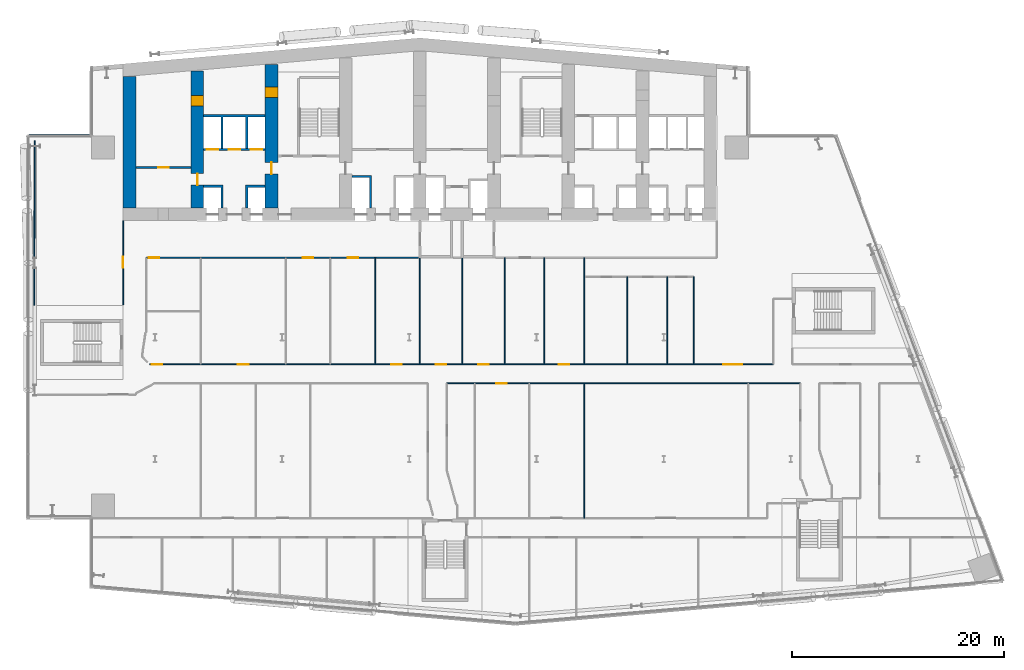
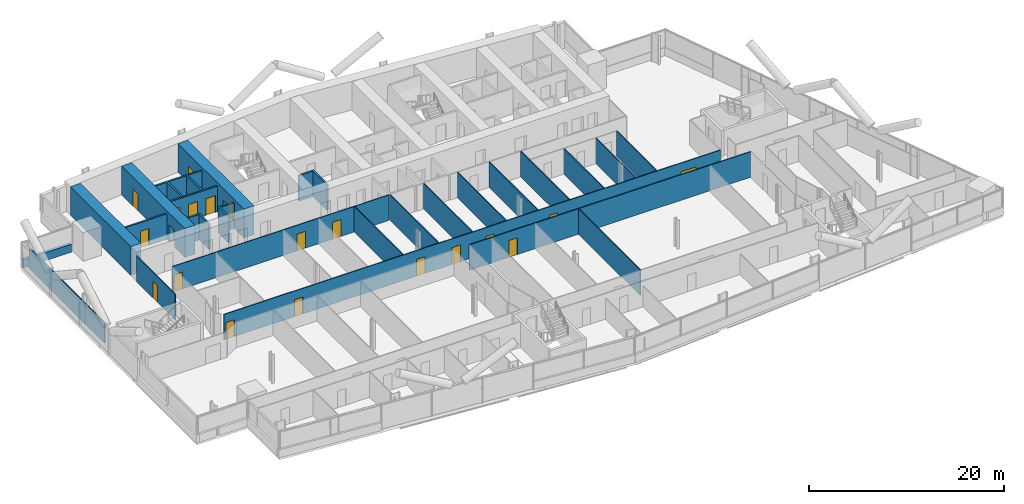
# One storey, part 16 of 27: 26 walls, 20 doors, 20 openings.
"""IFC4 building model written with IfcOpenShell, lengths in metres."""

from ifc_helpers import new_model, si_unit, direction, frame, frame_2d, origin, place, context, subcontext, project, spatial, polyline, rectangle, outline, extrude, material, layer, layer_set, type_object, element, fill, save


model = new_model("IFC4")

# Units and contexts
model_context = context("Model", 3, precision=1e-05, world=origin(), true_north=direction((0.0, 1.0)))
body_context = subcontext(model_context, "Body", "Model", "MODEL_VIEW")
ifc_project = project(units=[si_unit("LENGTHUNIT", "METRE"), si_unit("AREAUNIT", "SQUARE_METRE"), si_unit("VOLUMEUNIT", "CUBIC_METRE"), si_unit("PLANEANGLEUNIT", "RADIAN"), si_unit("MASSUNIT", "GRAM", prefix="KILO")], contexts=[model_context])

# Site, building, storey
site_placement = place(None, origin())
site = spatial("IfcSite", under=ifc_project, at=site_placement, CompositionType="ELEMENT")
building_placement = place(site_placement, origin())
building = spatial("IfcBuilding", under=site, at=building_placement, Name="Wharfspan Tower", CompositionType="ELEMENT")
storey_placement = place(building_placement, frame((0.0, 0.0, 55.899902)))
storey = spatial("IfcBuildingStorey", under=building, at=storey_placement, Name="L10", CompositionType="ELEMENT", Elevation=55.899902)

# Wall, opening, door
ifc_material_1 = material(Name="Gypsum board on steel studs", Category="steel")
ifc_layer_1 = layer(ifc_material_1, 0.100098)
ifc_layer_set_1 = layer_set([ifc_layer_1], Name="Gypsum board on steel studs")
wall_type_1 = type_object("IfcWallType", Name="Compartment wall 100 EI 60", PredefinedType="PARTITIONING", material=ifc_layer_set_1)
wall_1_placement = place(storey_placement, frame((9.0, 26.050049, 0.0), z_axis=(0.0, 0.0, 1.0), x_axis=(0.0, 1.0, 0.0)))
wall_1 = element("IfcWall", 1, at=wall_1_placement, inside=storey, type_object=wall_type_1, Name="Partition L10.w006", PredefinedType="PARTITIONING", context=body_context, shape_type="SweptSolid", body=[
    extrude(rectangle(XDim=7.929932, YDim=0.100098, at=frame_2d((3.964844, 0.0))), origin(), (0.0, 0.0, 1.0), 3.200195),
])
opening_1_placement = place(wall_1_placement, frame((3.530029, 0.0, 0.0)))
opening_1 = element("IfcOpeningElement", 2, at=opening_1_placement, cuts=wall_1, Name="Opening A2-35", PredefinedType="OPENING", context=body_context, shape_type="SweptSolid", body=[
    extrude(rectangle(XDim=1.0, YDim=2.100098, at=frame_2d((0.5, 1.050049))), frame((0.0, 0.060059, 0.0), z_axis=(0.0, -1.0, 0.0), x_axis=(1.0, 0.0, 0.0)), (0.0, 0.0, 1.0), 0.120117),
])
ifc_material_2 = material(Name="Fire-rated timber door leaf in steel frame", Category="steel")
door_type_1 = type_object("IfcDoorType", Name="Door 1000 FD30S Right", OperationType="SINGLE_SWING_RIGHT", PredefinedType="DOOR", material=ifc_material_2)
door_1_placement = place(opening_1_placement, origin())
door_1 = element("IfcDoor", 3, at=door_1_placement, inside=storey, type_object=door_type_1, Name="Door A2-35", OperationType="SINGLE_SWING_RIGHT", OverallHeight=2.100098, OverallWidth=1.0, PredefinedType="DOOR", context=body_context, shape_type="SweptSolid", body=[
    extrude(rectangle(XDim=1.0, YDim=2.100098, at=frame_2d((0.5, 1.050049))), frame((0.0, 0.024902, 0.0), z_axis=(0.0, -1.0, 0.0), x_axis=(1.0, 0.0, 0.0)), (0.0, 0.0, 1.0), 0.050049),
])
fill(opening_1, door_1)

# Wall, openings, doors
wall_2_placement = place(storey_placement, frame((11.199951, 30.5, 0.0), z_axis=(0.0, 0.0, 1.0), x_axis=(1.0, 0.0, 0.0)))
wall_2 = element("IfcWall", 4, at=wall_2_placement, inside=storey, type_object=wall_type_1, Name="Partition L10.w015", PredefinedType="PARTITIONING", context=body_context, shape_type="SweptSolid", body=[
    extrude(rectangle(XDim=25.650146, YDim=0.100098, at=frame_2d((12.825195, 0.0))), origin(), (0.0, 0.0, 1.0), 3.200195),
])
opening_2_placement = place(wall_2_placement, frame((0.195068, 0.0, 0.0)))
opening_2 = element("IfcOpeningElement", 5, at=opening_2_placement, cuts=wall_2, Name="Opening A2-36", PredefinedType="OPENING", context=body_context, shape_type="SweptSolid", body=[
    extrude(rectangle(XDim=1.0, YDim=2.100098, at=frame_2d((0.5, 1.050049))), frame((0.0, 0.060059, 0.0), z_axis=(0.0, -1.0, 0.0), x_axis=(1.0, 0.0, 0.0)), (0.0, 0.0, 1.0), 0.120117),
])
opening_3_placement = place(wall_2_placement, frame((14.754883, 0.0, 0.0)))
opening_3 = element("IfcOpeningElement", 6, at=opening_3_placement, cuts=wall_2, Name="Opening A2-37", PredefinedType="OPENING", context=body_context, shape_type="SweptSolid", body=[
    extrude(rectangle(XDim=1.0, YDim=2.100098, at=frame_2d((0.5, 1.050049))), frame((0.0, 0.060059, 0.0), z_axis=(0.0, -1.0, 0.0), x_axis=(1.0, 0.0, 0.0)), (0.0, 0.0, 1.0), 0.120117),
])
opening_4_placement = place(wall_2_placement, frame((18.975098, 0.0, 0.0)))
opening_4 = element("IfcOpeningElement", 7, at=opening_4_placement, cuts=wall_2, Name="Opening A2-38", PredefinedType="OPENING", context=body_context, shape_type="SweptSolid", body=[
    extrude(rectangle(XDim=1.0, YDim=2.100098, at=frame_2d((0.5, 1.050049))), frame((0.0, 0.060059, 0.0), z_axis=(0.0, -1.0, 0.0), x_axis=(1.0, 0.0, 0.0)), (0.0, 0.0, 1.0), 0.120117),
])
door_type_2 = type_object("IfcDoorType", Name="Door 1000 FD30S Left", OperationType="SINGLE_SWING_LEFT", PredefinedType="DOOR", material=ifc_material_2)
door_2_placement = place(opening_2_placement, origin())
door_2 = element("IfcDoor", 8, at=door_2_placement, inside=storey, type_object=door_type_2, Name="Door A2-36", OperationType="SINGLE_SWING_LEFT", OverallHeight=2.100098, OverallWidth=1.0, PredefinedType="DOOR", context=body_context, shape_type="SweptSolid", body=[
    extrude(rectangle(XDim=1.0, YDim=2.100098, at=frame_2d((0.5, 1.050049))), frame((0.0, 0.024902, 0.0), z_axis=(0.0, -1.0, 0.0), x_axis=(1.0, 0.0, 0.0)), (0.0, 0.0, 1.0), 0.050049),
])
fill(opening_2, door_2)
door_3_placement = place(opening_3_placement, origin())
door_3 = element("IfcDoor", 9, at=door_3_placement, inside=storey, type_object=door_type_2, Name="Door A2-37", OperationType="SINGLE_SWING_LEFT", OverallHeight=2.100098, OverallWidth=1.0, PredefinedType="DOOR", context=body_context, shape_type="SweptSolid", body=[
    extrude(rectangle(XDim=1.0, YDim=2.100098, at=frame_2d((0.5, 1.050049))), frame((0.0, 0.024902, 0.0), z_axis=(0.0, -1.0, 0.0), x_axis=(1.0, 0.0, 0.0)), (0.0, 0.0, 1.0), 0.050049),
])
fill(opening_3, door_3)
door_4_placement = place(opening_4_placement, origin())
door_4 = element("IfcDoor", 10, at=door_4_placement, inside=storey, type_object=door_type_2, Name="Door A2-38", OperationType="SINGLE_SWING_LEFT", OverallHeight=2.100098, OverallWidth=1.0, PredefinedType="DOOR", context=body_context, shape_type="SweptSolid", body=[
    extrude(rectangle(XDim=1.0, YDim=2.100098, at=frame_2d((0.5, 1.050049))), frame((0.0, 0.024902, 0.0), z_axis=(0.0, -1.0, 0.0), x_axis=(1.0, 0.0, 0.0)), (0.0, 0.0, 1.0), 0.050049),
])
fill(opening_4, door_4)

wall_3_placement = place(storey_placement, frame((11.504883, 20.445068, 0.0), z_axis=(0.0, 0.0, 1.0), x_axis=(1.0, 0.0, 0.0)))
wall_3 = element("IfcWall", 11, at=wall_3_placement, inside=storey, type_object=wall_type_1, Name="Partition L10.w017", PredefinedType="PARTITIONING", context=body_context, shape_type="SweptSolid", body=[
    extrude(rectangle(XDim=58.820068, YDim=0.100098, at=frame_2d((29.410156, 0.0))), origin(), (0.0, 0.0, 1.0), 3.200195),
])
opening_5_placement = place(wall_3_placement, frame((0.209961, 0.0, 0.0)))
opening_5 = element("IfcOpeningElement", 12, at=opening_5_placement, cuts=wall_3, Name="Opening A2-24", PredefinedType="OPENING", context=body_context, shape_type="SweptSolid", body=[
    extrude(rectangle(XDim=1.0, YDim=2.100098, at=frame_2d((0.5, 1.050049))), frame((0.0, 0.060059, 0.0), z_axis=(0.0, -1.0, 0.0), x_axis=(1.0, 0.0, 0.0)), (0.0, 0.0, 1.0), 0.120117),
])
opening_6_placement = place(wall_3_placement, frame((8.330078, 0.0, 0.0)))
opening_6 = element("IfcOpeningElement", 13, at=opening_6_placement, cuts=wall_3, Name="Opening A2-25", PredefinedType="OPENING", context=body_context, shape_type="SweptSolid", body=[
    extrude(rectangle(XDim=1.0, YDim=2.100098, at=frame_2d((0.5, 1.050049))), frame((0.0, 0.060059, 0.0), z_axis=(0.0, -1.0, 0.0), x_axis=(1.0, 0.0, 0.0)), (0.0, 0.0, 1.0), 0.120117),
])
opening_7_placement = place(wall_3_placement, frame((22.794922, 0.0, 0.0)))
opening_7 = element("IfcOpeningElement", 14, at=opening_7_placement, cuts=wall_3, Name="Opening A2-26", PredefinedType="OPENING", context=body_context, shape_type="SweptSolid", body=[
    extrude(rectangle(XDim=1.0, YDim=2.100098, at=frame_2d((0.5, 1.050049))), frame((0.0, 0.060059, 0.0), z_axis=(0.0, -1.0, 0.0), x_axis=(1.0, 0.0, 0.0)), (0.0, 0.0, 1.0), 0.120117),
])
opening_8_placement = place(wall_3_placement, frame((26.995117, 0.0, 0.0)))
opening_8 = element("IfcOpeningElement", 15, at=opening_8_placement, cuts=wall_3, Name="Opening A2-27", PredefinedType="OPENING", context=body_context, shape_type="SweptSolid", body=[
    extrude(rectangle(XDim=1.0, YDim=2.100098, at=frame_2d((0.5, 1.050049))), frame((0.0, 0.060059, 0.0), z_axis=(0.0, -1.0, 0.0), x_axis=(1.0, 0.0, 0.0)), (0.0, 0.0, 1.0), 0.120117),
])
opening_9_placement = place(wall_3_placement, frame((30.995117, 0.0, 0.0)))
opening_9 = element("IfcOpeningElement", 16, at=opening_9_placement, cuts=wall_3, Name="Opening A2-28", PredefinedType="OPENING", context=body_context, shape_type="SweptSolid", body=[
    extrude(rectangle(XDim=1.0, YDim=2.100098, at=frame_2d((0.5, 1.050049))), frame((0.0, 0.060059, 0.0), z_axis=(0.0, -1.0, 0.0), x_axis=(1.0, 0.0, 0.0)), (0.0, 0.0, 1.0), 0.120117),
])
opening_10_placement = place(wall_3_placement, frame((38.574951, 0.0, 0.0)))
opening_10 = element("IfcOpeningElement", 17, at=opening_10_placement, cuts=wall_3, Name="Opening A2-29", PredefinedType="OPENING", context=body_context, shape_type="SweptSolid", body=[
    extrude(rectangle(XDim=1.0, YDim=2.100098, at=frame_2d((0.5, 1.050049))), frame((0.0, 0.060059, 0.0), z_axis=(0.0, -1.0, 0.0), x_axis=(1.0, 0.0, 0.0)), (0.0, 0.0, 1.0), 0.120117),
])
opening_11_placement = place(wall_3_placement, frame((54.120117, 0.0, 0.0)))
opening_11 = element("IfcOpeningElement", 18, at=opening_11_placement, cuts=wall_3, Name="Opening A2-30", PredefinedType="OPENING", context=body_context, shape_type="SweptSolid", body=[
    extrude(rectangle(XDim=1.800049, YDim=2.100098, at=frame_2d((0.899902, 1.050049))), frame((0.0, 0.060059, 0.0), z_axis=(0.0, -1.0, 0.0), x_axis=(1.0, 0.0, 0.0)), (0.0, 0.0, 1.0), 0.120117),
])
door_5_placement = place(opening_5_placement, origin())
door_5 = element("IfcDoor", 19, at=door_5_placement, inside=storey, type_object=door_type_2, Name="Door A2-24", OperationType="SINGLE_SWING_LEFT", OverallHeight=2.100098, OverallWidth=1.0, PredefinedType="DOOR", context=body_context, shape_type="SweptSolid", body=[
    extrude(rectangle(XDim=1.0, YDim=2.100098, at=frame_2d((0.5, 1.050049))), frame((0.0, 0.024902, 0.0), z_axis=(0.0, -1.0, 0.0), x_axis=(1.0, 0.0, 0.0)), (0.0, 0.0, 1.0), 0.050049),
])
fill(opening_5, door_5)
door_6_placement = place(opening_6_placement, origin())
door_6 = element("IfcDoor", 20, at=door_6_placement, inside=storey, type_object=door_type_2, Name="Door A2-25", OperationType="SINGLE_SWING_LEFT", OverallHeight=2.100098, OverallWidth=1.0, PredefinedType="DOOR", context=body_context, shape_type="SweptSolid", body=[
    extrude(rectangle(XDim=1.0, YDim=2.100098, at=frame_2d((0.5, 1.050049))), frame((0.0, 0.024902, 0.0), z_axis=(0.0, -1.0, 0.0), x_axis=(1.0, 0.0, 0.0)), (0.0, 0.0, 1.0), 0.050049),
])
fill(opening_6, door_6)
door_7_placement = place(opening_7_placement, origin())
door_7 = element("IfcDoor", 21, at=door_7_placement, inside=storey, type_object=door_type_2, Name="Door A2-26", OperationType="SINGLE_SWING_LEFT", OverallHeight=2.100098, OverallWidth=1.0, PredefinedType="DOOR", context=body_context, shape_type="SweptSolid", body=[
    extrude(rectangle(XDim=1.0, YDim=2.100098, at=frame_2d((0.5, 1.050049))), frame((0.0, 0.024902, 0.0), z_axis=(0.0, -1.0, 0.0), x_axis=(1.0, 0.0, 0.0)), (0.0, 0.0, 1.0), 0.050049),
])
fill(opening_7, door_7)
door_8_placement = place(opening_8_placement, origin())
door_8 = element("IfcDoor", 22, at=door_8_placement, inside=storey, type_object=door_type_2, Name="Door A2-27", OperationType="SINGLE_SWING_LEFT", OverallHeight=2.100098, OverallWidth=1.0, PredefinedType="DOOR", context=body_context, shape_type="SweptSolid", body=[
    extrude(rectangle(XDim=1.0, YDim=2.100098, at=frame_2d((0.5, 1.050049))), frame((0.0, 0.024902, 0.0), z_axis=(0.0, -1.0, 0.0), x_axis=(1.0, 0.0, 0.0)), (0.0, 0.0, 1.0), 0.050049),
])
fill(opening_8, door_8)
door_9_placement = place(opening_9_placement, origin())
door_9 = element("IfcDoor", 23, at=door_9_placement, inside=storey, type_object=door_type_1, Name="Door A2-28", OperationType="SINGLE_SWING_RIGHT", OverallHeight=2.100098, OverallWidth=1.0, PredefinedType="DOOR", context=body_context, shape_type="SweptSolid", body=[
    extrude(rectangle(XDim=1.0, YDim=2.100098, at=frame_2d((0.5, 1.050049))), frame((0.0, 0.024902, 0.0), z_axis=(0.0, -1.0, 0.0), x_axis=(1.0, 0.0, 0.0)), (0.0, 0.0, 1.0), 0.050049),
])
fill(opening_9, door_9)
door_10_placement = place(opening_10_placement, origin())
door_10 = element("IfcDoor", 24, at=door_10_placement, inside=storey, type_object=door_type_1, Name="Door A2-29", OperationType="SINGLE_SWING_RIGHT", OverallHeight=2.100098, OverallWidth=1.0, PredefinedType="DOOR", context=body_context, shape_type="SweptSolid", body=[
    extrude(rectangle(XDim=1.0, YDim=2.100098, at=frame_2d((0.5, 1.050049))), frame((0.0, 0.024902, 0.0), z_axis=(0.0, -1.0, 0.0), x_axis=(1.0, 0.0, 0.0)), (0.0, 0.0, 1.0), 0.050049),
])
fill(opening_10, door_10)
door_type_3 = type_object("IfcDoorType", Name="Door 1800 FD30S Double", OperationType="DOUBLE_DOOR_SINGLE_SWING", PredefinedType="DOOR", material=ifc_material_2)
door_11_placement = place(opening_11_placement, origin())
door_11 = element("IfcDoor", 25, at=door_11_placement, inside=storey, type_object=door_type_3, Name="Door A2-30", OperationType="DOUBLE_DOOR_SINGLE_SWING", OverallHeight=2.100098, OverallWidth=1.800049, PredefinedType="DOOR", context=body_context, shape_type="SweptSolid", body=[
    extrude(rectangle(XDim=1.800049, YDim=2.100098, at=frame_2d((0.899902, 1.050049))), frame((0.0, 0.024902, 0.0), z_axis=(0.0, -1.0, 0.0), x_axis=(1.0, 0.0, 0.0)), (0.0, 0.0, 1.0), 0.050049),
])
fill(opening_11, door_11)

# Walls
for number, where, z_axis, x_axis, name in (
    (26, (32.780029, 20.445068, 0.0), (0.0, 0.0, 1.0), (0.0, 1.0, 0.0), "Partition L10.w032"),
    (27, (37.0, 20.445068, 0.0), (0.0, 0.0, 1.0), (0.0, 1.0, 0.0), "Partition L10.w033"),
):
    element("IfcWall", number, at=place(storey_placement, frame(where, z_axis=z_axis, x_axis=x_axis)), inside=storey, type_object=wall_type_1, Name=name, PredefinedType="PARTITIONING", context=body_context, shape_type="SweptSolid", body=[
        extrude(rectangle(XDim=10.054932, YDim=0.100098, at=frame_2d((5.027344, 0.0))), origin(), (0.0, 0.0, 1.0), 3.200195),
    ])

# Wall, opening, door
wall_4_placement = place(storey_placement, frame((39.550049, 18.639893, 0.0), z_axis=(0.0, 0.0, 1.0), x_axis=(1.0, 0.0, 0.0)))
wall_4 = element("IfcWall", 28, at=wall_4_placement, inside=storey, type_object=wall_type_1, Name="Partition L10.w038", PredefinedType="PARTITIONING", context=body_context, shape_type="SweptSolid", body=[
    extrude(rectangle(XDim=33.339844, YDim=0.100098, at=frame_2d((16.669922, 0.0))), origin(), (0.0, 0.0, 1.0), 3.200195),
])
opening_12_placement = place(wall_4_placement, frame((4.64502, 0.0, 0.0)))
opening_12 = element("IfcOpeningElement", 29, at=opening_12_placement, cuts=wall_4, Name="Opening A2-22", PredefinedType="OPENING", context=body_context, shape_type="SweptSolid", body=[
    extrude(rectangle(XDim=1.0, YDim=2.100098, at=frame_2d((0.5, 1.050049))), frame((0.0, 0.060059, 0.0), z_axis=(0.0, -1.0, 0.0), x_axis=(1.0, 0.0, 0.0)), (0.0, 0.0, 1.0), 0.120117),
])
door_12_placement = place(opening_12_placement, origin())
door_12 = element("IfcDoor", 30, at=door_12_placement, inside=storey, type_object=door_type_2, Name="Door A2-22", OperationType="SINGLE_SWING_LEFT", OverallHeight=2.100098, OverallWidth=1.0, PredefinedType="DOOR", context=body_context, shape_type="SweptSolid", body=[
    extrude(rectangle(XDim=1.0, YDim=2.100098, at=frame_2d((0.5, 1.050049))), frame((0.0, 0.024902, 0.0), z_axis=(0.0, -1.0, 0.0), x_axis=(1.0, 0.0, 0.0)), (0.0, 0.0, 1.0), 0.050049),
])
fill(opening_12, door_12)

# Walls
for number, where, z_axis, x_axis, name in (
    (31, (41.0, 20.445068, 0.0), (0.0, 0.0, 1.0), (0.0, 1.0, 0.0), "Partition L10.w043"),
    (32, (45.0, 20.445068, 0.0), (0.0, 0.0, 1.0), (0.0, 1.0, 0.0), "Partition L10.w046"),
    (33, (48.75, 20.445068, 0.0), (0.0, 0.0, 1.0), (0.0, 1.0, 0.0), "Partition L10.w049"),
):
    element("IfcWall", number, at=place(storey_placement, frame(where, z_axis=z_axis, x_axis=x_axis)), inside=storey, type_object=wall_type_1, Name=name, PredefinedType="PARTITIONING", context=body_context, shape_type="SweptSolid", body=[
        extrude(rectangle(XDim=10.054932, YDim=0.100098, at=frame_2d((5.027344, 0.0))), origin(), (0.0, 0.0, 1.0), 3.200195),
    ])
wall_5_placement = place(storey_placement, frame((52.5, 5.929932, 0.0), z_axis=(0.0, 0.0, 1.0), x_axis=(0.0, 1.0, 0.0)))
element("IfcWall", 34, at=wall_5_placement, inside=storey, type_object=wall_type_1, Name="Partition L10.w051", PredefinedType="PARTITIONING", context=body_context, shape_type="SweptSolid", body=[
    extrude(rectangle(XDim=12.709961, YDim=0.100098, at=frame_2d((6.35498, 0.0))), origin(), (0.0, 0.0, 1.0), 3.200195),
])
wall_6_placement = place(storey_placement, frame((52.5, 20.445068, 0.0), z_axis=(0.0, 0.0, 1.0), x_axis=(0.0, 1.0, 0.0)))
element("IfcWall", 35, at=wall_6_placement, inside=storey, type_object=wall_type_1, Name="Partition L10.w052", PredefinedType="PARTITIONING", context=body_context, shape_type="SweptSolid", body=[
    extrude(rectangle(XDim=10.044922, YDim=0.100098, at=frame_2d((5.022461, 0.0))), origin(), (0.0, 0.0, 1.0), 3.200195),
])
for number, where, z_axis, x_axis, name in (
    (36, (56.584961, 20.445068, 0.0), (0.0, 0.0, 1.0), (0.0, 1.0, 0.0), "Partition L10.w054"),
    (37, (60.35498, 20.445068, 0.0), (0.0, 0.0, 1.0), (0.0, 1.0, 0.0), "Partition L10.w055"),
    (38, (62.834961, 20.445068, 0.0), (0.0, 0.0, 1.0), (0.0, 1.0, 0.0), "Partition L10.w056"),
):
    element("IfcWall", number, at=place(storey_placement, frame(where, z_axis=z_axis, x_axis=x_axis)), inside=storey, type_object=wall_type_1, Name=name, PredefinedType="PARTITIONING", context=body_context, shape_type="SweptSolid", body=[
        extrude(rectangle(XDim=8.254883, YDim=0.100098, at=frame_2d((4.127441, 0.0))), origin(), (0.0, 0.0, 1.0), 3.200195),
    ])

# Wall, opening, door
ifc_material_3 = material(Name="Calcium silicate masonry", Category="masonry")
ifc_layer_2 = layer(ifc_material_3, 0.199951)
ifc_layer_set_2 = layer_set([ifc_layer_2], Name="Calcium silicate masonry")
wall_type_2 = type_object("IfcWallType", Name="Core room wall 200", PredefinedType="PARTITIONING", material=ifc_layer_set_2)
wall_7_placement = place(storey_placement, frame((10.199951, 39.0, 0.0), z_axis=(0.0, 0.0, 1.0), x_axis=(1.0, 0.0, 0.0)))
wall_7 = element("IfcWall", 39, at=wall_7_placement, inside=storey, type_object=wall_type_2, Name="sw:L10:RM0", PredefinedType="PARTITIONING", context=body_context, shape_type="SweptSolid", body=[
    extrude(rectangle(XDim=5.199951, YDim=0.199951, at=frame_2d((2.600098, 0.0))), origin(), (0.0, 0.0, 1.0), 3.200195),
])
opening_13_placement = place(wall_7_placement, frame((2.100098, 0.0, 0.0)))
opening_13 = element("IfcOpeningElement", 40, at=opening_13_placement, cuts=wall_7, Name="Opening CD10.02", PredefinedType="OPENING", context=body_context, shape_type="SweptSolid", body=[
    extrude(rectangle(XDim=1.0, YDim=2.100098, at=frame_2d((0.5, 1.050049))), frame((0.0, 0.109863, 0.0), z_axis=(0.0, -1.0, 0.0), x_axis=(1.0, 0.0, 0.0)), (0.0, 0.0, 1.0), 0.219971),
])
ifc_material_4 = material(Name="Steel door leaf", Category="steel")
door_type_4 = type_object("IfcDoorType", Name="Core room door 1000x2100", OperationType="SINGLE_SWING_LEFT", PredefinedType="DOOR", material=ifc_material_4)
door_13_placement = place(opening_13_placement, origin())
door_13 = element("IfcDoor", 41, at=door_13_placement, inside=storey, type_object=door_type_4, Name="d:L10:0:rr", OperationType="SINGLE_SWING_RIGHT", OverallHeight=2.100098, OverallWidth=1.0, PredefinedType="DOOR", context=body_context, shape_type="SweptSolid", body=[
    extrude(rectangle(XDim=1.0, YDim=2.100098, at=frame_2d((0.5, 1.050049))), frame((0.0, 0.024902, 0.0), z_axis=(0.0, -1.0, 0.0), x_axis=(1.0, 0.0, 0.0)), (0.0, 0.0, 1.0), 0.050049),
])
fill(opening_13, door_13)

# Wall
ifc_material_5 = material(Name="Concrete C70/85", Category="concrete")
ifc_layer_3 = layer(ifc_material_5, 1.199951)
ifc_layer_set_3 = layer_set([ifc_layer_3], Name="Concrete C70/85")
wall_type_3 = type_object("IfcWallType", Name="Core wall 1200 C70/85", PredefinedType="SHEAR", material=ifc_layer_set_3)
wall_8_placement = place(storey_placement, frame((9.600098, 35.199951, 0.0), z_axis=(0.0, 0.0, 1.0), x_axis=(0.0, 1.0, 0.0)))
element("IfcWall", 42, at=wall_8_placement, inside=storey, type_object=wall_type_3, Name="Core cross wall EW0 L10", PredefinedType="SHEAR", context=body_context, shape_type="SweptSolid", body=[
    extrude(rectangle(XDim=12.382812, YDim=1.199951, at=frame_2d((6.191406, 0.0))), origin(), (0.0, 0.0, 1.0), 3.600098),
])

# Wall, openings, doors
wall_9_placement = place(storey_placement, frame((16.0, 35.199951, 0.0), z_axis=(0.0, 0.0, 1.0), x_axis=(0.0, 1.0, 0.0)))
wall_9 = element("IfcWall", 43, at=wall_9_placement, inside=storey, type_object=wall_type_3, Name="Core cross wall X1 L10", PredefinedType="SHEAR", context=body_context, shape_type="SweptSolid", body=[
    extrude(rectangle(XDim=12.942871, YDim=1.199951, at=frame_2d((6.471436, 0.0))), origin(), (0.0, 0.0, 1.0), 3.600098),
])
opening_14_placement = place(wall_9_placement, frame((2.149902, 0.0, 0.0)))
opening_14 = element("IfcOpeningElement", 44, at=opening_14_placement, cuts=wall_9, Name="Opening CC10.1", PredefinedType="OPENING", context=body_context, shape_type="SweptSolid", body=[
    extrude(rectangle(XDim=1.100098, YDim=2.100098, at=frame_2d((0.550049, 1.050049))), frame((0.0, 0.609863, 0.0), z_axis=(0.0, -1.0, 0.0), x_axis=(1.0, 0.0, 0.0)), (0.0, 0.0, 1.0), 1.219971),
])
opening_15_placement = place(wall_9_placement, frame((9.600098, 0.0, 0.0)))
opening_15 = element("IfcOpeningElement", 45, at=opening_15_placement, cuts=wall_9, Name="Opening CR10.1", PredefinedType="OPENING", context=body_context, shape_type="SweptSolid", body=[
    extrude(rectangle(XDim=1.0, YDim=2.100098, at=frame_2d((0.5, 1.050049))), frame((0.0, 0.609863, 0.0), z_axis=(0.0, -1.0, 0.0), x_axis=(1.0, 0.0, 0.0)), (0.0, 0.0, 1.0), 1.219971),
])
door_type_5 = type_object("IfcDoorType", Name="Core corridor door 1100x2100", OperationType="SINGLE_SWING_LEFT", PredefinedType="DOOR", material=ifc_material_4)
door_14_placement = place(opening_14_placement, origin())
door_14 = element("IfcDoor", 46, at=door_14_placement, inside=storey, type_object=door_type_5, Name="xd:L10:1", OperationType="SINGLE_SWING_LEFT", OverallHeight=2.100098, OverallWidth=1.100098, PredefinedType="DOOR", context=body_context, shape_type="SweptSolid", body=[
    extrude(rectangle(XDim=1.100098, YDim=2.100098, at=frame_2d((0.550049, 1.050049))), frame((0.0, 0.024902, 0.0), z_axis=(0.0, -1.0, 0.0), x_axis=(1.0, 0.0, 0.0)), (0.0, 0.0, 1.0), 0.050049),
])
fill(opening_14, door_14)
door_15_placement = place(opening_15_placement, origin())
door_15 = element("IfcDoor", 47, at=door_15_placement, inside=storey, type_object=door_type_4, Name="xr:L10:1", OperationType="SINGLE_SWING_RIGHT", OverallHeight=2.100098, OverallWidth=1.0, PredefinedType="DOOR", context=body_context, shape_type="SweptSolid", body=[
    extrude(rectangle(XDim=1.0, YDim=2.100098, at=frame_2d((0.5, 1.050049))), frame((0.0, 0.599609, 0.0), z_axis=(0.0, -1.0, 0.0), x_axis=(1.0, 0.0, 0.0)), (0.0, 0.0, 1.0), 1.199463),
])
fill(opening_15, door_15)

wall_10_placement = place(storey_placement, frame((23.0, 35.199951, 0.0), z_axis=(0.0, 0.0, 1.0), x_axis=(0.0, 1.0, 0.0)))
wall_10 = element("IfcWall", 48, at=wall_10_placement, inside=storey, type_object=wall_type_3, Name="Core cross wall X2 L10", PredefinedType="SHEAR", context=body_context, shape_type="SweptSolid", body=[
    extrude(rectangle(XDim=13.555176, YDim=1.199951, at=frame_2d((6.777588, 0.0))), origin(), (0.0, 0.0, 1.0), 3.600098),
])
opening_16_placement = place(wall_10_placement, frame((10.413818, 0.0, 0.0)))
opening_16 = element("IfcOpeningElement", 49, at=opening_16_placement, cuts=wall_10, Name="Opening CD10.1X", PredefinedType="OPENING", context=body_context, shape_type="SweptSolid", body=[
    extrude(rectangle(XDim=1.0, YDim=2.100098, at=frame_2d((0.5, 1.050049))), frame((0.0, 0.609863, 0.0), z_axis=(0.0, -1.0, 0.0), x_axis=(1.0, 0.0, 0.0)), (0.0, 0.0, 1.0), 1.219971),
])
opening_17_placement = place(wall_10_placement, frame((3.199951, 0.0, 0.0)))
opening_17 = element("IfcOpeningElement", 50, at=opening_17_placement, cuts=wall_10, Name="Opening CC10.2", PredefinedType="OPENING", context=body_context, shape_type="SweptSolid", body=[
    extrude(rectangle(XDim=1.100098, YDim=2.100098, at=frame_2d((0.550049, 1.050049))), frame((0.0, 0.609863, 0.0), z_axis=(0.0, -1.0, 0.0), x_axis=(1.0, 0.0, 0.0)), (0.0, 0.0, 1.0), 1.219971),
])
door_16_placement = place(opening_17_placement, origin())
door_16 = element("IfcDoor", 51, at=door_16_placement, inside=storey, type_object=door_type_5, Name="xd:L10:2", OperationType="SINGLE_SWING_RIGHT", OverallHeight=2.100098, OverallWidth=1.100098, PredefinedType="DOOR", context=body_context, shape_type="SweptSolid", body=[
    extrude(rectangle(XDim=1.100098, YDim=2.100098, at=frame_2d((0.550049, 1.050049))), frame((0.0, 0.024902, 0.0), z_axis=(0.0, -1.0, 0.0), x_axis=(1.0, 0.0, 0.0)), (0.0, 0.0, 1.0), 0.050049),
])
fill(opening_17, door_16)
door_17_placement = place(opening_16_placement, origin())
door_17 = element("IfcDoor", 52, at=door_17_placement, inside=storey, type_object=door_type_4, Name="d:L10:1:sx", OperationType="SINGLE_SWING_LEFT", OverallHeight=2.100098, OverallWidth=1.0, PredefinedType="DOOR", context=body_context, shape_type="SweptSolid", body=[
    extrude(rectangle(XDim=1.0, YDim=2.100098, at=frame_2d((0.5, 1.050049))), frame((0.0, 0.599609, 0.0), z_axis=(0.0, -1.0, 0.0), x_axis=(1.0, 0.0, 0.0)), (0.0, 0.0, 1.0), 1.199463),
])
fill(opening_16, door_17)

ifc_material_6 = material(Name="Concrete C30/37", Category="concrete")
ifc_layer_4 = layer(ifc_material_6, 0.199951)
ifc_layer_set_4 = layer_set([ifc_layer_4], Name="Concrete C30/37")
wall_type_4 = type_object("IfcWallType", Name="Lift shaft wall 200", PredefinedType="PARTITIONING", material=ifc_layer_set_4)
wall_11_placement = place(storey_placement, frame((16.600098, 40.699951, 0.0), z_axis=(0.0, 0.0, 1.0), x_axis=(1.0, 0.0, 0.0)))
wall_11 = element("IfcWall", 53, at=wall_11_placement, inside=storey, type_object=wall_type_4, Name="sw:L10:RF1", PredefinedType="PARTITIONING", context=body_context, shape_type="SweptSolid", body=[
    extrude(rectangle(XDim=5.799805, YDim=0.199951, at=frame_2d((2.899902, 0.0))), origin(), (0.0, 0.0, 1.0), 3.200195),
])
opening_18_placement = place(wall_11_placement, frame((0.266602, 0.0, 0.0)))
opening_18 = element("IfcOpeningElement", 54, at=opening_18_placement, cuts=wall_11, Name="Opening LD.LA3.L10", PredefinedType="OPENING", context=body_context, shape_type="SweptSolid", body=[
    extrude(rectangle(XDim=1.100098, YDim=2.100098, at=frame_2d((0.550049, 1.050049))), frame((0.0, 0.109863, 0.0), z_axis=(0.0, -1.0, 0.0), x_axis=(1.0, 0.0, 0.0)), (0.0, 0.0, 1.0), 0.219971),
])
opening_19_placement = place(wall_11_placement, frame((2.350098, 0.0, 0.0)))
opening_19 = element("IfcOpeningElement", 55, at=opening_19_placement, cuts=wall_11, Name="Opening LD.LA4.L10", PredefinedType="OPENING", context=body_context, shape_type="SweptSolid", body=[
    extrude(rectangle(XDim=1.100098, YDim=2.100098, at=frame_2d((0.550049, 1.050049))), frame((0.0, 0.109863, 0.0), z_axis=(0.0, -1.0, 0.0), x_axis=(1.0, 0.0, 0.0)), (0.0, 0.0, 1.0), 0.219971),
])
opening_20_placement = place(wall_11_placement, frame((4.43335, 0.0, 0.0)))
opening_20 = element("IfcOpeningElement", 56, at=opening_20_placement, cuts=wall_11, Name="Opening LD.LA5.L10", PredefinedType="OPENING", context=body_context, shape_type="SweptSolid", body=[
    extrude(rectangle(XDim=1.100098, YDim=2.100098, at=frame_2d((0.550049, 1.050049))), frame((0.0, 0.109863, 0.0), z_axis=(0.0, -1.0, 0.0), x_axis=(1.0, 0.0, 0.0)), (0.0, 0.0, 1.0), 0.219971),
])
ifc_material_7 = material(Name="Stainless steel", Category="steel")
door_type_6 = type_object("IfcDoorType", Name="Lift landing door 1100x2100", OperationType="DOUBLE_DOOR_SLIDING", PredefinedType="DOOR", material=ifc_material_7)
door_18_placement = place(opening_18_placement, origin())
door_18 = element("IfcDoor", 57, at=door_18_placement, inside=storey, type_object=door_type_6, Name="Landing door LA3 L10", OperationType="DOUBLE_DOOR_SLIDING", OverallHeight=2.100098, OverallWidth=1.100098, PredefinedType="DOOR", context=body_context, shape_type="SweptSolid", body=[
    extrude(rectangle(XDim=1.100098, YDim=2.100098, at=frame_2d((0.550049, 1.050049))), frame((0.0, 0.024902, 0.0), z_axis=(0.0, -1.0, 0.0), x_axis=(1.0, 0.0, 0.0)), (0.0, 0.0, 1.0), 0.050049),
])
fill(opening_18, door_18)
door_19_placement = place(opening_19_placement, origin())
door_19 = element("IfcDoor", 58, at=door_19_placement, inside=storey, type_object=door_type_6, Name="Landing door LA4 L10", OperationType="DOUBLE_DOOR_SLIDING", OverallHeight=2.100098, OverallWidth=1.100098, PredefinedType="DOOR", context=body_context, shape_type="SweptSolid", body=[
    extrude(rectangle(XDim=1.100098, YDim=2.100098, at=frame_2d((0.550049, 1.050049))), frame((0.0, 0.024902, 0.0), z_axis=(0.0, -1.0, 0.0), x_axis=(1.0, 0.0, 0.0)), (0.0, 0.0, 1.0), 0.050049),
])
fill(opening_19, door_19)
door_20_placement = place(opening_20_placement, origin())
door_20 = element("IfcDoor", 59, at=door_20_placement, inside=storey, type_object=door_type_6, Name="Landing door LA5 L10", OperationType="DOUBLE_DOOR_SLIDING", OverallHeight=2.100098, OverallWidth=1.100098, PredefinedType="DOOR", context=body_context, shape_type="SweptSolid", body=[
    extrude(rectangle(XDim=1.100098, YDim=2.100098, at=frame_2d((0.550049, 1.050049))), frame((0.0, 0.024902, 0.0), z_axis=(0.0, -1.0, 0.0), x_axis=(1.0, 0.0, 0.0)), (0.0, 0.0, 1.0), 0.050049),
])
fill(opening_20, door_20)

# Walls
wall_12_placement = place(storey_placement, origin())
element("IfcWall", 60, at=wall_12_placement, inside=storey, type_object=wall_type_4, Name="sw:L10:FM1.0", PredefinedType="PARTITIONING", context=body_context, shape_type="SweptSolid", body=[
    extrude(outline(polyline([(18.233398, 37.149902), (16.600098, 37.149902), (16.600098, 37.350098), (18.233398, 37.350098), (18.43335, 37.350098), (18.43335, 35.199951), (18.233398, 35.199951), (18.233398, 37.149902)])), origin(), (0.0, 0.0, 1.0), 3.200195),
])
wall_13_placement = place(storey_placement, origin())
element("IfcWall", 61, at=wall_13_placement, inside=storey, type_object=wall_type_4, Name="sw:L10:FM1.1", PredefinedType="PARTITIONING", context=body_context, shape_type="SweptSolid", body=[
    extrude(outline(polyline([(20.56665, 37.350098), (20.766602, 37.350098), (22.399902, 37.350098), (22.399902, 37.149902), (20.766602, 37.149902), (20.766602, 35.199951), (20.56665, 35.199951), (20.56665, 37.350098)])), origin(), (0.0, 0.0, 1.0), 3.200195),
])
wall_14_placement = place(storey_placement, origin())
element("IfcWall", 62, at=wall_14_placement, inside=storey, type_object=wall_type_4, Name="sw:L10:RM1.0", PredefinedType="PARTITIONING", context=body_context, shape_type="SweptSolid", body=[
    extrude(outline(polyline([(18.43335, 40.800049), (18.233398, 40.800049), (18.233398, 43.800049), (16.600098, 43.800049), (16.600098, 44.0), (22.399902, 44.0), (22.399902, 43.800049), (20.766602, 43.800049), (20.766602, 40.800049), (20.56665, 40.800049), (20.56665, 43.800049), (18.43335, 43.800049), (18.43335, 40.800049)])), origin(), (0.0, 0.0, 1.0), 3.200195),
])
wall_15_placement = place(storey_placement, origin())
element("IfcWall", 63, at=wall_15_placement, inside=storey, type_object=wall_type_4, Name="sw:L10:FM3.0", PredefinedType="PARTITIONING", context=body_context, shape_type="SweptSolid", body=[
    extrude(outline(polyline([(32.233398, 38.050049), (30.600098, 38.050049), (30.600098, 38.25), (32.233398, 38.25), (32.43335, 38.25), (32.43335, 35.199951), (32.233398, 35.199951), (32.233398, 38.050049)])), origin(), (0.0, 0.0, 1.0), 3.200195),
])
ifc_layer_5 = layer(ifc_material_1, 0.100098)
ifc_layer_set_5 = layer_set([ifc_layer_5], Name="Gypsum board on steel studs")
wall_type_5 = type_object("IfcWallType", Name="Partition 100", PredefinedType="PARTITIONING", material=ifc_layer_set_5)
wall_16_placement = place(storey_placement, frame((0.629883, 26.02002, 0.0), z_axis=(0.0, 0.0, 1.0), x_axis=(0.0, 1.0, 0.0)))
element("IfcWall", 64, at=wall_16_placement, inside=storey, type_object=wall_type_5, Name="Partition L10.w002", PredefinedType="PARTITIONING", context=body_context, shape_type="SweptSolid", body=[
    extrude(rectangle(XDim=3.97998, YDim=0.100098, at=frame_2d((1.98999, 0.0))), origin(), (0.0, 0.0, 1.0), 2.580078),
])
wall_17_placement = place(storey_placement, frame((0.629883, 30.0, 0.0), z_axis=(0.0, 0.0, 1.0), x_axis=(0.00218, 0.999994, 0.0)))
element("IfcWall", 65, at=wall_17_placement, inside=storey, type_object=wall_type_5, Name="Partition L10.w003", PredefinedType="PARTITIONING", context=body_context, shape_type="SweptSolid", body=[
    extrude(rectangle(XDim=11.534912, YDim=0.100098, at=frame_2d((5.767578, 0.0))), origin(), (0.0, 0.0, 1.0), 2.580078),
])
ifc_material_8 = material(Name="Concrete C40/50", Category="concrete")
ifc_layer_6 = layer(ifc_material_8, 0.350098)
ifc_layer_set_6 = layer_set([ifc_layer_6], Name="Concrete C40/50")
wall_type_6 = type_object("IfcWallType", Name="SPANDREL EXPOSED CONCRETE 350", PredefinedType="SOLIDWALL", material=ifc_layer_set_6)
wall_18_placement = place(storey_placement, frame((5.820068, 42.004883, 0.0), z_axis=(0.0, 0.0, 1.0), x_axis=(-1.0, 0.0, 0.0)))
element("IfcWall", 66, at=wall_18_placement, inside=storey, type_object=wall_type_6, Name="Spandrel upstand L10 NRW-H", PredefinedType="SOLIDWALL", context=body_context, shape_type="SweptSolid", body=[
    extrude(rectangle(XDim=5.699951, YDim=0.350098, at=frame_2d((2.850098, 0.0))), origin(), (0.0, 0.0, 1.0), 1.0),
])

save(model, "model.ifc")
